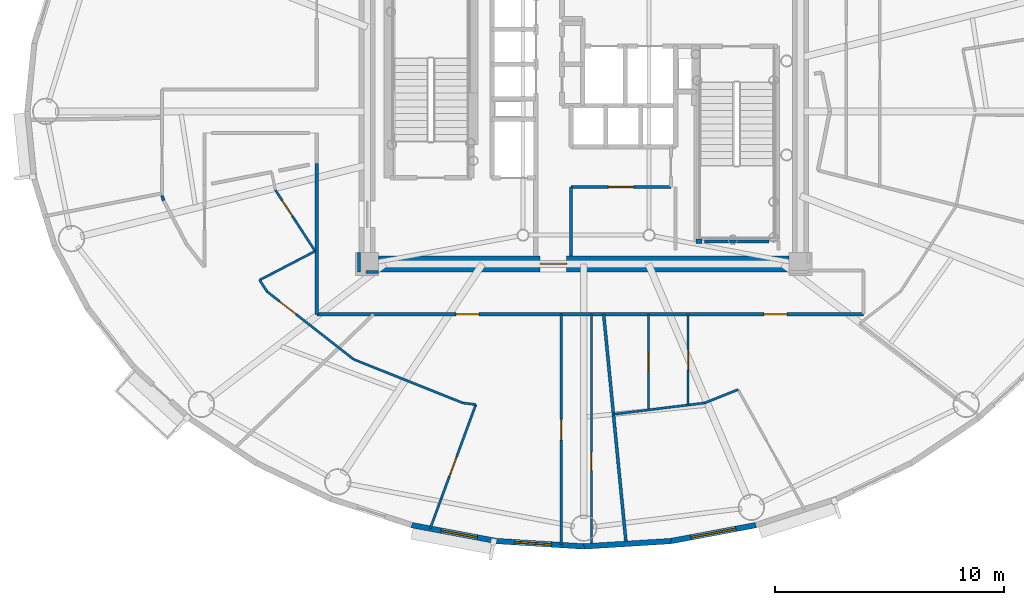
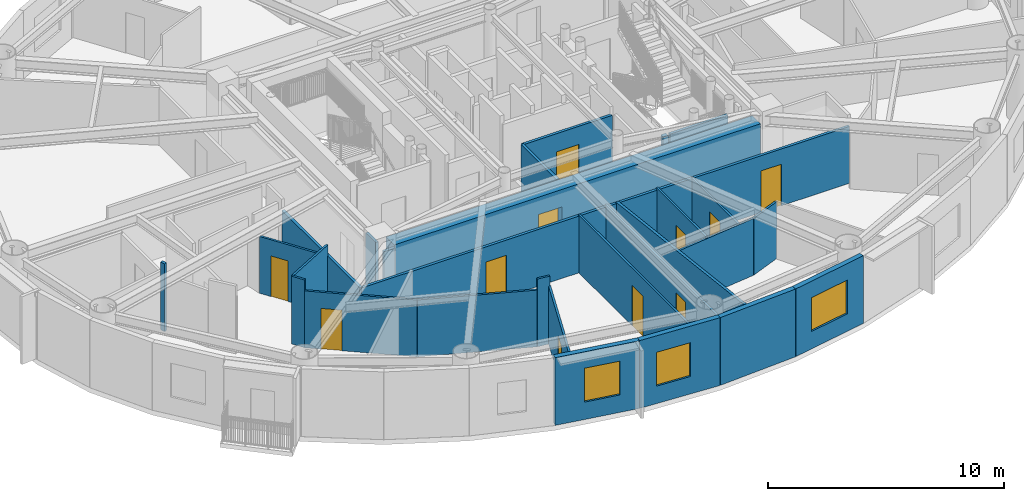
# One storey, part 6 of 16: 28 walls, 11 doors, 3 windows, 14 openings.
"""IFC4 building model written with IfcOpenShell, lengths in metres."""

import ifcopenshell
import ifcopenshell.guid

model = None  # the IFC model being written
_history = None  # IfcOwnerHistory: only IFC2X3 demands one
_inside = {}  # id of a spatial element -> (the spatial element, [elements in it])
_under = {}  # id of a project, library or spatial element -> (it, [spatial elements below it])
_declared = {}  # id of a project -> (the project, [libraries it declares])
_typed = {}  # id of a type object -> (the type object, [elements of that type])
_made_of = {}  # id of a material, layer set ... -> (it, [elements and type objects made of it])


def new_model(schema):
    """Start an empty IFC model of exactly this schema.

    Asked for "IFC4X3", IfcOpenShell would pick the latest addendum, in which some entities
    have other attributes; the version numbers below select the first issue.
    IFC2X3 requires an IfcOwnerHistory on every rooted entity: one is made here for all.
    """
    global model, _history
    if schema == "IFC4X3":
        model = ifcopenshell.file(schema_version=(4, 3, 0, 0))
    else:
        model = ifcopenshell.file(schema=schema)
    _inside.clear()
    _under.clear()
    _declared.clear()
    _typed.clear()
    _made_of.clear()
    _history = None
    if model.schema == "IFC2X3":
        org = make("IfcOrganization", Name="unknown")
        user = make(
            "IfcPersonAndOrganization",
            ThePerson=make("IfcPerson", FamilyName="unknown"),
            TheOrganization=org,
        )
        app = make(
            "IfcApplication",
            ApplicationDeveloper=org,
            Version="unknown",
            ApplicationFullName="unknown",
            ApplicationIdentifier="unknown",
        )
        _history = make(
            "IfcOwnerHistory",
            OwningUser=user,
            OwningApplication=app,
            ChangeAction="ADDED",
            CreationDate=0,
        )
    return model


def make(cls, **values):
    """One entity of the class cls with the attributes given. An attribute that is None is left unset."""
    return model.create_entity(
        cls, **{name: value for name, value in values.items() if value is not None}
    )


def rooted(cls, **values):
    """An entity with a GlobalId (a new one), such as an element, a storey or a relation."""
    return make(cls, GlobalId=ifcopenshell.guid.new(), OwnerHistory=_history, **values)


def si_unit(unit_type, name, prefix=None):
    """IfcSIUnit, for example si_unit("LENGTHUNIT", "METRE", prefix="MILLI")."""
    return make("IfcSIUnit", UnitType=unit_type, Prefix=prefix, Name=name)


def assignment(units):
    """IfcUnitAssignment: the units of a project."""
    return None if units is None else make("IfcUnitAssignment", Units=units)


def point(xyz):
    """IfcCartesianPoint."""
    return None if xyz is None else make("IfcCartesianPoint", Coordinates=xyz)


def direction(xyz):
    """IfcDirection."""
    return None if xyz is None else make("IfcDirection", DirectionRatios=xyz)


def frame(location, z_axis=None, x_axis=None):
    """IfcAxis2Placement3D, a coordinate frame: its origin and axes. An axis left out is left unset."""
    return make(
        "IfcAxis2Placement3D",
        Location=point(location),
        Axis=direction(z_axis),
        RefDirection=direction(x_axis),
    )


def frame_2d(location, x_axis=None):
    """IfcAxis2Placement2D, a coordinate frame in the plane: its origin and x axis."""
    return make(
        "IfcAxis2Placement2D", Location=point(location), RefDirection=direction(x_axis)
    )


def origin():
    """The frame at (0, 0, 0) with its axes left unset."""
    return frame((0.0, 0.0, 0.0))


def origin_2d():
    """The frame at (0, 0) in the plane with its x axis left unset."""
    return frame_2d((0.0, 0.0))


def place(relative_to, where):
    """IfcLocalPlacement: puts the frame where relative to a parent placement (None: the world)."""
    return make(
        "IfcLocalPlacement", PlacementRelTo=relative_to, RelativePlacement=where
    )


def context(
    kind, dimensions, precision=None, world=None, true_north=None, identifier=None
):
    """IfcGeometricRepresentationContext, for example the 3D "Model" context."""
    return make(
        "IfcGeometricRepresentationContext",
        ContextIdentifier=identifier,
        ContextType=kind,
        CoordinateSpaceDimension=dimensions,
        Precision=precision,
        WorldCoordinateSystem=world,
        TrueNorth=true_north,
    )


def subcontext(parent, identifier, kind, view, scale=None):
    """IfcGeometricRepresentationSubContext, for example "Body" below "Model"."""
    return make(
        "IfcGeometricRepresentationSubContext",
        ContextIdentifier=identifier,
        ContextType=kind,
        ParentContext=parent,
        TargetScale=scale,
        TargetView=view,
    )


def project(units=None, contexts=None):
    """IfcProject with its units and contexts."""
    return rooted(
        "IfcProject",
        Name="project",
        RepresentationContexts=contexts,
        UnitsInContext=assignment(units),
    )


def spatial(cls, under=None, at=None, **own):
    """A site, building, storey or space (cls), placed at a placement, below another one or the project."""
    s = rooted(cls, ObjectPlacement=at, **own)
    if under is not None:
        _under.setdefault(under.id(), (under, []))[1].append(s)
    return s


def profile(cls, at=None, kind="AREA", **sizes):
    """A parametric profile (cls). Its sizes go by their IFC names, for example OverallWidth=200.0."""
    return make(cls, ProfileType=kind, Position=at, **sizes)


def rectangle(**sizes):
    """IfcRectangleProfileDef."""
    return profile("IfcRectangleProfileDef", **sizes)


def extrude(swept, where, along, depth):
    """IfcExtrudedAreaSolid: the profile swept, set in the frame where, extruded along a direction by depth."""
    return make(
        "IfcExtrudedAreaSolid",
        SweptArea=swept,
        Position=where,
        ExtrudedDirection=direction(along),
        Depth=depth,
    )


def shape(context_of_items, identifier, shape_type, items):
    """IfcShapeRepresentation: the items that make up one representation, for example the "Body"."""
    return make(
        "IfcShapeRepresentation",
        ContextOfItems=context_of_items,
        RepresentationIdentifier=identifier,
        RepresentationType=shape_type,
        Items=items,
    )


def source(mapping_origin, context_of_items, identifier, shape_type, items):
    """IfcRepresentationMap: a shape defined once, which mapped items show again and again."""
    return make(
        "IfcRepresentationMap",
        MappingOrigin=mapping_origin,
        MappedRepresentation=shape(context_of_items, identifier, shape_type, items),
    )


def transform(
    local_origin,
    x_axis=None,
    y_axis=None,
    z_axis=None,
    scale=None,
    scale2=None,
    scale3=None,
    uniform=True,
):
    """IfcCartesianTransformationOperator3D, or its non-uniform kind. x_axis, y_axis, z_axis: its Axis1, 2, 3."""
    if uniform:
        return make(
            "IfcCartesianTransformationOperator3D",
            Axis1=direction(x_axis),
            Axis2=direction(y_axis),
            LocalOrigin=point(local_origin),
            Scale=scale,
            Axis3=direction(z_axis),
        )
    return make(
        "IfcCartesianTransformationOperator3DnonUniform",
        Axis1=direction(x_axis),
        Axis2=direction(y_axis),
        LocalOrigin=point(local_origin),
        Scale=scale,
        Axis3=direction(z_axis),
        Scale2=scale2,
        Scale3=scale3,
    )


def mapped(mapping_source, mapping_target):
    """IfcMappedItem: shows the shape of a source again, moved by a transform."""
    return make(
        "IfcMappedItem", MappingSource=mapping_source, MappingTarget=mapping_target
    )


def material(Name=None, Category=None):
    """IfcMaterial."""
    return make("IfcMaterial", Name=Name, Category=Category)


def layer(
    of_material, thickness, ventilated=None, Name=None, Category=None, Priority=None
):
    """IfcMaterialLayer: one layer of a wall or slab, of a material (None: an air gap)."""
    return make(
        "IfcMaterialLayer",
        Material=of_material,
        LayerThickness=thickness,
        IsVentilated=ventilated,
        Name=Name,
        Category=Category,
        Priority=Priority,
    )


def layer_set(layers, Name=None):
    """IfcMaterialLayerSet."""
    return make("IfcMaterialLayerSet", MaterialLayers=layers, LayerSetName=Name)


def made_of(thing, what):
    """Note that an element or type object is made of a material, layer set ...; save() writes the relation."""
    if what is not None:
        _made_of.setdefault(what.id(), (what, []))[1].append(thing)
    return thing


def type_object(cls, material=None, **own):
    """A type object (cls), such as IfcWallType, which elements share."""
    return made_of(rooted(cls, **own), material)


def element(
    cls,
    number,
    at=None,
    inside=None,
    cuts=None,
    type_object=None,
    material=None,
    context=None,
    identifier="Body",
    shape_type=None,
    held_by="IfcProductDefinitionShape",
    body=None,
    shapes=None,
    **own,
):
    """One element of the class cls, such as IfcWall. Its Tag is "e" and its number.

    at: its placement. inside: the storey or other place that contains it. cuts: it is an
    opening in that element (IfcRelVoidsElement). A single representation is given by context,
    identifier, shape_type and body (its items); several are given by shapes. held_by: the class
    of the entity that holds the representations. save() writes the other relations.
    """
    e = rooted(cls, Tag="e%d" % number, ObjectPlacement=at, **own)
    if body is not None:
        shapes = [shape(context, identifier, shape_type, body)]
    if shapes is not None:
        e.Representation = make(held_by, Representations=shapes)
    if inside is not None:
        _inside.setdefault(inside.id(), (inside, []))[1].append(e)
    if cuts is not None:
        rooted(
            "IfcRelVoidsElement", RelatingBuildingElement=cuts, RelatedOpeningElement=e
        )
    if type_object is not None:
        _typed.setdefault(type_object.id(), (type_object, []))[1].append(e)
    return made_of(e, material)


def fill(opening, filler):
    """IfcRelFillsElement: the door or window that sits in an opening."""
    return rooted(
        "IfcRelFillsElement",
        RelatingOpeningElement=opening,
        RelatedBuildingElement=filler,
    )


def aggregate(whole, parts):
    """IfcRelAggregates: a whole, such as a stair, and the parts it consists of."""
    return rooted("IfcRelAggregates", RelatingObject=whole, RelatedObjects=parts)


def save(model, path):
    """Write the relations noted so far, then the file.

    IfcRelAggregates (storeys below a building ...), IfcRelContainedInSpatialStructure (elements
    in a storey), IfcRelDefinesByType, IfcRelAssociatesMaterial and IfcRelDeclares: one each for
    every whole, place, type object, material and project.
    """
    for whole, parts in _under.values():
        aggregate(whole, parts)
    for where, things in _inside.values():
        rooted(
            "IfcRelContainedInSpatialStructure",
            RelatedElements=things,
            RelatingStructure=where,
        )
    for kind, things in _typed.values():
        rooted("IfcRelDefinesByType", RelatedObjects=things, RelatingType=kind)
    for what, things in _made_of.values():
        rooted("IfcRelAssociatesMaterial", RelatedObjects=things, RelatingMaterial=what)
    for by, libraries in _declared.values():
        rooted("IfcRelDeclares", RelatingContext=by, RelatedDefinitions=libraries)
    model.write(path)


model = new_model("IFC4")

# Units and contexts
model_context = context("Model", 3, precision=1e-05, world=origin(), true_north=direction((0.0, 1.0)))
body_context = subcontext(model_context, "Body", "Model", "MODEL_VIEW")
ifc_project = project(units=[si_unit("LENGTHUNIT", "METRE"), si_unit("AREAUNIT", "SQUARE_METRE"), si_unit("VOLUMEUNIT", "CUBIC_METRE"), si_unit("PLANEANGLEUNIT", "RADIAN"), si_unit("MASSUNIT", "GRAM", prefix="KILO")], contexts=[model_context])

# Site, building, storey
site_placement = place(None, origin())
site = spatial("IfcSite", under=ifc_project, at=site_placement, CompositionType="ELEMENT")
building_placement = place(site_placement, origin())
building = spatial("IfcBuilding", under=site, at=building_placement, Name="Linh Dai School and Residence Tower", CompositionType="ELEMENT")
storey_placement = place(building_placement, frame((0.0, 0.0, 255.300048828125)))
storey = spatial("IfcBuildingStorey", under=building, at=storey_placement, Name="L63", CompositionType="ELEMENT", Elevation=255.300048828125)

# Wall, opening, window
ifc_material_1 = material(Name="Precast Concrete B45 (C35/45)", Category="concrete")
ifc_layer_1 = layer(ifc_material_1, 0.239990234375)
ifc_layer_set_1 = layer_set([ifc_layer_1], Name="Precast Concrete B45 (C35/45)")
wall_type_1 = type_object("IfcWallType", Name="EW-TC-240", PredefinedType="SOLIDWALL", material=ifc_layer_set_1)
wall_1_placement = place(storey_placement, frame((32.198486328125, 8.254150390625, 0.0), z_axis=(0.0, 0.0, 1.0), x_axis=(-0.982784898575, 0.184753465822, 0.0)))
wall_1 = element("IfcWall", 1, at=wall_1_placement, inside=storey, type_object=wall_type_1, Name="L63 Terracotta Exterior Wall 29", PredefinedType="SOLIDWALL", context=body_context, shape_type="SweptSolid", body=[
    extrude(rectangle(XDim=3.772705078125, YDim=0.239990234375, at=frame_2d((1.88623046875, 0.0))), origin(), (0.0, 0.0, 1.0), 3.5),
])
opening_1_placement = place(wall_1_placement, frame((0.85888671875, 0.0, 0.89990234375)))
opening_1 = element("IfcOpeningElement", 2, at=opening_1_placement, cuts=wall_1, Name="Opening W2", PredefinedType="OPENING", context=body_context, shape_type="SweptSolid", body=[
    extrude(rectangle(XDim=1.60009765625, YDim=1.75, at=origin_2d()), frame((0.800048828125, 0.1298828125, 0.875), z_axis=(0.0, -1.0, 0.0), x_axis=(1.0, 0.0, 0.0)), (0.0, 0.0, 1.0), 0.260009765625),
])
ifc_material_2 = material(Name="Double Low-E Insulated Glazing", Category="glass")
window_type_1 = type_object("IfcWindowType", Name="WN-RES-1600x1750", PartitioningType="DOUBLE_PANEL_VERTICAL", PredefinedType="WINDOW", material=ifc_material_2)
shared_shape_1 = source(origin(), body_context, "Body", "SweptSolid", [
    extrude(rectangle(XDim=1.60009765625, YDim=1.75, at=origin_2d()), frame((0.800048828125, 0.030029296875, 0.875), z_axis=(0.0, -1.0, 0.0), x_axis=(1.0, 0.0, 0.0)), (0.0, 0.0, 1.0), 0.06005859375),
])
window_1_placement = place(opening_1_placement, origin())
window_1 = element("IfcWindow", 3, at=window_1_placement, inside=storey, type_object=window_type_1, Name="L63 Exterior Window 29.1", OverallHeight=1.75, OverallWidth=1.60009765625, PartitioningType="DOUBLE_PANEL_VERTICAL", PredefinedType="WINDOW", context=body_context, shape_type="MappedRepresentation", body=[
    mapped(shared_shape_1, transform((0.0, 0.0, 0.0), x_axis=(1.0, 0.0, 0.0), y_axis=(0.0, 1.0, 0.0), z_axis=(0.0, 0.0, 1.0), scale=1.0)),
])
fill(opening_1, window_1)

wall_2_placement = place(storey_placement, frame((36.0, 8.02001953125, 0.0), z_axis=(0.0, 0.0, 1.0), x_axis=(-0.998108785312, 0.06147237333, 0.0)))
wall_2 = element("IfcWall", 4, at=wall_2_placement, inside=storey, type_object=wall_type_1, Name="L63 Terracotta Exterior Wall 30", PredefinedType="SOLIDWALL", context=body_context, shape_type="SweptSolid", body=[
    extrude(rectangle(XDim=3.808837890625, YDim=0.239990234375, at=frame_2d((1.904296875, 0.0))), origin(), (0.0, 0.0, 1.0), 3.5),
])
opening_2_placement = place(wall_2_placement, frame((1.41015625, 0.0, 0.89990234375)))
opening_2 = element("IfcOpeningElement", 5, at=opening_2_placement, cuts=wall_2, Name="Opening W2", PredefinedType="OPENING", context=body_context, shape_type="SweptSolid", body=[
    extrude(rectangle(XDim=1.60009765625, YDim=1.75, at=origin_2d()), frame((0.800048828125, 0.1298828125, 0.875), z_axis=(0.0, -1.0, 0.0), x_axis=(1.0, 0.0, 0.0)), (0.0, 0.0, 1.0), 0.260009765625),
])
window_2_placement = place(opening_2_placement, origin())
window_2 = element("IfcWindow", 6, at=window_2_placement, inside=storey, type_object=window_type_1, Name="L63 Exterior Window 30.1", OverallHeight=1.75, OverallWidth=1.60009765625, PartitioningType="DOUBLE_PANEL_VERTICAL", PredefinedType="WINDOW", context=body_context, shape_type="MappedRepresentation", body=[
    mapped(shared_shape_1, transform((0.0, 0.0, 0.0), x_axis=(1.0, 0.0, 0.0), y_axis=(0.0, 1.0, 0.0), z_axis=(0.0, 0.0, 1.0), scale=1.0)),
])
fill(opening_2, window_2)

# Wall
wall_3_placement = place(storey_placement, frame((39.801513671875, 8.254150390625, 0.0), z_axis=(0.0, 0.0, 1.0), x_axis=(-0.998108785312, -0.06147237333, 0.0)))
element("IfcWall", 7, at=wall_3_placement, inside=storey, type_object=wall_type_1, Name="L63 Terracotta Exterior Wall 31", PredefinedType="SOLIDWALL", context=body_context, shape_type="SweptSolid", body=[
    extrude(rectangle(XDim=3.808837890625, YDim=0.239990234375, at=frame_2d((1.904296875, 0.0))), origin(), (0.0, 0.0, 1.0), 3.5),
])

# Wall, opening, window
wall_4_placement = place(storey_placement, frame((43.50927734375, 8.951171875, 0.0), z_axis=(0.0, 0.0, 1.0), x_axis=(-0.982784898575, -0.184753465822, 0.0)))
wall_4 = element("IfcWall", 8, at=wall_4_placement, inside=storey, type_object=wall_type_1, Name="L63 Terracotta Exterior Wall 32", PredefinedType="SOLIDWALL", context=body_context, shape_type="SweptSolid", body=[
    extrude(rectangle(XDim=3.772705078125, YDim=0.239990234375, at=frame_2d((1.88623046875, 0.0))), origin(), (0.0, 0.0, 1.0), 3.5),
])
opening_3_placement = place(wall_4_placement, frame((0.88623046875, 0.0, 0.89990234375)))
opening_3 = element("IfcOpeningElement", 9, at=opening_3_placement, cuts=wall_4, Name="Opening W1", PredefinedType="OPENING", context=body_context, shape_type="SweptSolid", body=[
    extrude(rectangle(XDim=2.0, YDim=1.75, at=origin_2d()), frame((1.0, 0.1298828125, 0.875), z_axis=(0.0, -1.0, 0.0), x_axis=(1.0, 0.0, 0.0)), (0.0, 0.0, 1.0), 0.260009765625),
])
window_type_2 = type_object("IfcWindowType", Name="WN-RES-2000x1750", PartitioningType="DOUBLE_PANEL_VERTICAL", PredefinedType="WINDOW", material=ifc_material_2)
shared_shape_2 = source(origin(), body_context, "Body", "SweptSolid", [
    extrude(rectangle(XDim=2.0, YDim=1.75, at=origin_2d()), frame((1.0, 0.030029296875, 0.875), z_axis=(0.0, -1.0, 0.0), x_axis=(1.0, 0.0, 0.0)), (0.0, 0.0, 1.0), 0.06005859375),
])
window_3_placement = place(opening_3_placement, origin())
window_3 = element("IfcWindow", 10, at=window_3_placement, inside=storey, type_object=window_type_2, Name="L63 Exterior Window 32.1", OverallHeight=1.75, OverallWidth=2.0, PartitioningType="DOUBLE_PANEL_VERTICAL", PredefinedType="WINDOW", context=body_context, shape_type="MappedRepresentation", body=[
    mapped(shared_shape_2, transform((0.0, 0.0, 0.0), x_axis=(1.0, 0.0, 0.0), y_axis=(0.0, 1.0, 0.0), z_axis=(0.0, 0.0, 1.0), scale=1.0)),
])
fill(opening_3, window_3)

# Walls
ifc_material_3 = material(Name="Autoclaved Aerated Concrete Blockwork", Category="masonry")
ifc_layer_2 = layer(ifc_material_3, 0.135009765625)
ifc_layer_set_2 = layer_set([ifc_layer_2], Name="Autoclaved Aerated Concrete Blockwork")
wall_type_2 = type_object("IfcWallType", Name="IW-CORR-135-EI90", PredefinedType="PARTITIONING", material=ifc_layer_set_2)
wall_5_placement = place(storey_placement, frame((17.60009765625, 23.327880859375, 0.0), z_axis=(0.0, 0.0, 1.0), x_axis=(0.292875000845, -0.956150738053, 0.0)))
element("IfcWall", 11, at=wall_5_placement, inside=storey, type_object=wall_type_2, Name="L63 Interior Partition Wall 003", PredefinedType="PARTITIONING", context=body_context, shape_type="SweptSolid", body=[
    extrude(rectangle(XDim=0.226806640625, YDim=0.135009765625, at=frame_2d((0.11328125, 0.0))), origin(), (0.0, 0.0, 1.0), 3.5),
])
wall_6_placement = place(storey_placement, frame((24.35009765625, 18.14990234375, 0.0), z_axis=(0.0, 0.0, 1.0), x_axis=(0.0, 1.0, 0.0)))
element("IfcWall", 12, at=wall_6_placement, inside=storey, type_object=wall_type_2, Name="L63 Interior Partition Wall 017", PredefinedType="PARTITIONING", context=body_context, shape_type="SweptSolid", body=[
    extrude(rectangle(XDim=6.58544921875, YDim=0.135009765625, at=frame_2d((3.292724609375, 0.0))), origin(), (0.0, 0.0, 1.0), 2.93505859375),
])

# Wall, openings, doors
wall_7_placement = place(storey_placement, frame((24.35009765625, 18.14990234375, 0.0), z_axis=(0.0, 0.0, 1.0), x_axis=(1.0, 0.0, 0.0)))
wall_7 = element("IfcWall", 13, at=wall_7_placement, inside=storey, type_object=wall_type_2, Name="L63 Interior Partition Wall 018", PredefinedType="PARTITIONING", context=body_context, shape_type="SweptSolid", body=[
    extrude(rectangle(XDim=23.849853515625, YDim=0.135009765625, at=frame_2d((11.9248046875, 0.0))), origin(), (0.0, 0.0, 1.0), 2.93505859375),
])
opening_4_placement = place(wall_7_placement, frame((6.0693359375, 0.0, 0.0)))
opening_4 = element("IfcOpeningElement", 14, at=opening_4_placement, cuts=wall_7, Name="Opening D03", PredefinedType="OPENING", context=body_context, shape_type="SweptSolid", body=[
    extrude(rectangle(XDim=1.0, YDim=2.14990234375, at=origin_2d()), frame((0.5, 0.07763671875, 1.074951171875), z_axis=(0.0, -1.0, 0.0), x_axis=(1.0, 0.0, 0.0)), (0.0, 0.0, 1.0), 0.155029296875),
])
opening_5_placement = place(wall_7_placement, frame((19.5048828125, 0.0, 0.0)))
opening_5 = element("IfcOpeningElement", 15, at=opening_5_placement, cuts=wall_7, Name="Opening D03", PredefinedType="OPENING", context=body_context, shape_type="SweptSolid", body=[
    extrude(rectangle(XDim=1.0, YDim=2.14990234375, at=origin_2d()), frame((0.5, 0.07763671875, 1.074951171875), z_axis=(0.0, -1.0, 0.0), x_axis=(1.0, 0.0, 0.0)), (0.0, 0.0, 1.0), 0.155029296875),
])
ifc_material_4 = material(Name="Fire-Rated Solid Timber Entrance Door", Category="wood")
door_type_1 = type_object("IfcDoorType", Name="DR-FLAT-1000x2150-FD60S", OperationType="NOTDEFINED", PredefinedType="DOOR", material=ifc_material_4)
shared_shape_3 = source(origin(), body_context, "Body", "SweptSolid", [
    extrude(rectangle(XDim=1.0, YDim=2.14990234375, at=origin_2d()), frame((0.5, 0.02490234375, 1.074951171875), z_axis=(0.0, -1.0, 0.0), x_axis=(1.0, 0.0, 0.0)), (0.0, 0.0, 1.0), 0.050048828125),
])
door_1_placement = place(opening_4_placement, origin())
door_1 = element("IfcDoor", 16, at=door_1_placement, inside=storey, type_object=door_type_1, Name="L63 U6302 Apartment Entrance Door", OperationType="SINGLE_SWING_LEFT", OverallHeight=2.14990234375, OverallWidth=1.0, PredefinedType="DOOR", context=body_context, shape_type="MappedRepresentation", body=[
    mapped(shared_shape_3, transform((0.0, 0.0, 0.0), x_axis=(1.0, 0.0, 0.0), y_axis=(0.0, 1.0, 0.0), z_axis=(0.0, 0.0, 1.0), scale=1.0)),
])
fill(opening_4, door_1)
door_2_placement = place(opening_5_placement, origin())
door_2 = element("IfcDoor", 17, at=door_2_placement, inside=storey, type_object=door_type_1, Name="L63 U6303 Apartment Entrance Door", OperationType="SINGLE_SWING_LEFT", OverallHeight=2.14990234375, OverallWidth=1.0, PredefinedType="DOOR", context=body_context, shape_type="MappedRepresentation", body=[
    mapped(shared_shape_3, transform((0.0, 0.0, 0.0), x_axis=(1.0, 0.0, 0.0), y_axis=(0.0, 1.0, 0.0), z_axis=(0.0, 0.0, 1.0), scale=1.0)),
])
fill(opening_5, door_2)

# Wall
wall_8_placement = place(storey_placement, frame((35.449951171875, 20.699951171875, 0.0), z_axis=(0.0, 0.0, 1.0), x_axis=(0.0, 1.0, 0.0)))
element("IfcWall", 18, at=wall_8_placement, inside=storey, type_object=wall_type_2, Name="L63 Interior Partition Wall 045", PredefinedType="PARTITIONING", context=body_context, shape_type="SweptSolid", body=[
    extrude(rectangle(XDim=3.0, YDim=0.135009765625, at=frame_2d((1.5, 0.0))), origin(), (0.0, 0.0, 1.0), 3.0849609375),
])

# Wall, opening, door
wall_9_placement = place(storey_placement, frame((35.449951171875, 23.699951171875, 0.0), z_axis=(0.0, 0.0, 1.0), x_axis=(1.0, 0.0, 0.0)))
wall_9 = element("IfcWall", 19, at=wall_9_placement, inside=storey, type_object=wall_type_2, Name="L63 Interior Partition Wall 046", PredefinedType="PARTITIONING", context=body_context, shape_type="SweptSolid", body=[
    extrude(rectangle(XDim=4.35009765625, YDim=0.135009765625, at=frame_2d((2.175048828125, 0.0))), origin(), (0.0, 0.0, 1.0), 3.0849609375),
])
opening_6_placement = place(wall_9_placement, frame((1.625, 0.0, 0.0)))
opening_6 = element("IfcOpeningElement", 20, at=opening_6_placement, cuts=wall_9, Name="Opening D07", PredefinedType="OPENING", context=body_context, shape_type="SweptSolid", body=[
    extrude(rectangle(XDim=1.10009765625, YDim=2.14990234375, at=origin_2d()), frame((0.550048828125, 0.07763671875, 1.074951171875), z_axis=(0.0, -1.0, 0.0), x_axis=(1.0, 0.0, 0.0)), (0.0, 0.0, 1.0), 0.155029296875),
])
ifc_material_5 = material(Name="Fire-Rated Louvred Steel Plant Door", Category="steel")
door_type_2 = type_object("IfcDoorType", Name="DR-PLT-1100x2150-FD60S", OperationType="NOTDEFINED", PredefinedType="DOOR", material=ifc_material_5)
shared_shape_4 = source(origin(), body_context, "Body", "SweptSolid", [
    extrude(rectangle(XDim=1.10009765625, YDim=2.14990234375, at=origin_2d()), frame((0.550048828125, 0.02490234375, 1.074951171875), z_axis=(0.0, -1.0, 0.0), x_axis=(1.0, 0.0, 0.0)), (0.0, 0.0, 1.0), 0.050048828125),
])
door_3_placement = place(opening_6_placement, origin())
door_3 = element("IfcDoor", 21, at=door_3_placement, inside=storey, type_object=door_type_2, Name="L63 Tenant Metering and BMS Room Door", OperationType="SINGLE_SWING_RIGHT", OverallHeight=2.14990234375, OverallWidth=1.10009765625, PredefinedType="DOOR", context=body_context, shape_type="MappedRepresentation", body=[
    mapped(shared_shape_4, transform((0.0, 0.0, 0.0), x_axis=(1.0, 0.0, 0.0), y_axis=(0.0, 1.0, 0.0), z_axis=(0.0, 0.0, 1.0), scale=1.0)),
])
fill(opening_6, door_3)

# Walls
wall_10_placement = place(storey_placement, frame((36.86669921875, 18.14990234375, 0.0), z_axis=(0.0, 0.0, 1.0), x_axis=(0.097472533874, -0.995238215273, 0.0)))
element("IfcWall", 22, at=wall_10_placement, inside=storey, type_object=wall_type_2, Name="L63 Interior Partition Wall 053", PredefinedType="PARTITIONING", context=body_context, shape_type="SweptSolid", body=[
    extrude(rectangle(XDim=10.06884765625, YDim=0.135009765625, at=frame_2d((5.034423828125, 0.0))), origin(), (0.0, 0.0, 1.0), 2.98486328125),
])
wall_11_placement = place(storey_placement, frame((44.080078125, 21.330078125, 0.0), z_axis=(0.0, 0.0, 1.0), x_axis=(-1.0, 0.0, 0.0)))
element("IfcWall", 23, at=wall_11_placement, inside=storey, type_object=wall_type_2, Name="L63 Interior Partition Wall 088", PredefinedType="PARTITIONING", context=body_context, shape_type="SweptSolid", body=[
    extrude(rectangle(XDim=2.820068359375, YDim=0.135009765625, at=frame_2d((1.41015625, 0.0))), origin(), (0.0, 0.0, 1.0), 3.034912109375),
])
wall_12_placement = place(storey_placement, frame((26.199951171875, 20.840087890625, 0.0), z_axis=(0.0, 0.0, 1.0), x_axis=(0.0, -1.0, 0.0)))
element("IfcWall", 24, at=wall_12_placement, inside=storey, type_object=wall_type_2, Name="L63 Interior Partition Wall 098", PredefinedType="PARTITIONING", context=body_context, shape_type="SweptSolid", body=[
    extrude(rectangle(XDim=0.840087890625, YDim=0.135009765625, at=frame_2d((0.419921875, 0.0))), origin(), (0.0, 0.0, 1.0), 3.5),
])
wall_13_placement = place(storey_placement, frame((26.507568359375, 20.0, 0.0), z_axis=(0.0, 0.0, 1.0), x_axis=(1.0, 0.0, 0.0)))
element("IfcWall", 25, at=wall_13_placement, inside=storey, type_object=wall_type_2, Name="L63 Interior Partition Wall 099", PredefinedType="PARTITIONING", context=body_context, shape_type="SweptSolid", body=[
    extrude(rectangle(XDim=0.532470703125, YDim=0.135009765625, at=frame_2d((0.26611328125, 0.0))), origin(), (0.0, 0.0, 1.0), 2.93505859375),
])
ifc_material_6 = material(Name="Concrete B45 (C35/45)", Category="concrete")
ifc_layer_3 = layer(ifc_material_6, 0.199951171875)
ifc_layer_set_3 = layer_set([ifc_layer_3], Name="Concrete B45 (C35/45)")
wall_type_3 = type_object("IfcWallType", Name="IW-SHAFT-200-EI120", PredefinedType="PARTITIONING", material=ifc_layer_set_3)
wall_14_placement = place(storey_placement, frame((40.89990234375, 21.330078125, 0.0), z_axis=(0.0, 0.0, 1.0), x_axis=(1.0, 0.0, 0.0)))
element("IfcWall", 26, at=wall_14_placement, inside=storey, type_object=wall_type_3, Name="L63 Interior Partition Wall 065", PredefinedType="PARTITIONING", context=body_context, shape_type="SweptSolid", body=[
    extrude(rectangle(XDim=0.25, YDim=0.199951171875, at=frame_2d((0.125, 0.0))), origin(), (0.0, 0.0, 1.0), 3.034912109375),
])
ifc_material_7 = material(Name="Gypsum Plasterboard Acoustic Stud Partition", Category="masonry")
ifc_layer_4 = layer(ifc_material_7, 0.10009765625)
ifc_layer_set_4 = layer_set([ifc_layer_4], Name="Gypsum Plasterboard Acoustic Stud Partition")
wall_type_4 = type_object("IfcWallType", Name="IW-UNIT-100", PredefinedType="PARTITIONING", material=ifc_layer_set_4)
wall_15_placement = place(storey_placement, frame((21.855712890625, 19.640625, 0.0), z_axis=(0.0, 0.0, 1.0), x_axis=(0.545246536912, -0.838275738636, 0.0)))
element("IfcWall", 27, at=wall_15_placement, inside=storey, type_object=wall_type_4, Name="L63 Interior Partition Wall 011", PredefinedType="PARTITIONING", context=body_context, shape_type="SweptSolid", body=[
    extrude(rectangle(XDim=0.59814453125, YDim=0.10009765625, at=frame_2d((0.299072265625, 0.0))), origin(), (0.0, 0.0, 1.0), 3.5),
])
wall_16_placement = place(storey_placement, frame((21.855712890625, 19.640625, 0.0), z_axis=(0.0, 0.0, 1.0), x_axis=(0.887130502634, 0.461518657582, 0.0)))
element("IfcWall", 28, at=wall_16_placement, inside=storey, type_object=wall_type_4, Name="L63 Interior Partition Wall 012", PredefinedType="PARTITIONING", context=body_context, shape_type="SweptSolid", body=[
    extrude(rectangle(XDim=2.7333984375, YDim=0.10009765625, at=frame_2d((1.36669921875, 0.0))), origin(), (0.0, 0.0, 1.0), 3.5),
])

# Wall, opening, door
wall_17_placement = place(storey_placement, frame((22.181884765625, 19.13916015625, 0.0), z_axis=(0.0, 0.0, 1.0), x_axis=(0.787386902975, -0.616459134917, 0.0)))
wall_17 = element("IfcWall", 29, at=wall_17_placement, inside=storey, type_object=wall_type_4, Name="L63 Interior Partition Wall 013", PredefinedType="PARTITIONING", context=body_context, shape_type="SweptSolid", body=[
    extrude(rectangle(XDim=4.799072265625, YDim=0.10009765625, at=frame_2d((2.3994140625, 0.0))), origin(), (0.0, 0.0, 1.0), 2.93505859375),
])
opening_7_placement = place(wall_17_placement, frame((0.6953125, 0.0, 0.0)))
opening_7 = element("IfcOpeningElement", 30, at=opening_7_placement, cuts=wall_17, Name="Opening D05", PredefinedType="OPENING", context=body_context, shape_type="SweptSolid", body=[
    extrude(rectangle(XDim=0.89990234375, YDim=2.10009765625, at=origin_2d()), frame((0.449951171875, 0.06005859375, 1.050048828125), z_axis=(0.0, -1.0, 0.0), x_axis=(1.0, 0.0, 0.0)), (0.0, 0.0, 1.0), 0.1201171875),
])
ifc_material_8 = material(Name="Engineered Timber Internal Door", Category="wood")
door_type_3 = type_object("IfcDoorType", Name="DR-INT-900x2100", OperationType="NOTDEFINED", PredefinedType="DOOR", material=ifc_material_8)
shared_shape_5 = source(origin(), body_context, "Body", "SweptSolid", [
    extrude(rectangle(XDim=0.89990234375, YDim=2.10009765625, at=origin_2d()), frame((0.449951171875, 0.02490234375, 1.050048828125), z_axis=(0.0, -1.0, 0.0), x_axis=(1.0, 0.0, 0.0)), (0.0, 0.0, 1.0), 0.050048828125),
])
door_4_placement = place(opening_7_placement, origin())
door_4 = element("IfcDoor", 31, at=door_4_placement, inside=storey, type_object=door_type_3, Name="L63 Apartment U6301 Kitchen Door", OperationType="SINGLE_SWING_RIGHT", OverallHeight=2.10009765625, OverallWidth=0.89990234375, PredefinedType="DOOR", context=body_context, shape_type="MappedRepresentation", body=[
    mapped(shared_shape_5, transform((0.0, 0.0, 0.0), x_axis=(1.0, 0.0, 0.0), y_axis=(0.0, 1.0, 0.0), z_axis=(0.0, 0.0, 1.0), scale=1.0)),
])
fill(opening_7, door_4)

wall_18_placement = place(storey_placement, frame((22.540771484375, 23.575927734375, 0.0), z_axis=(0.0, 0.0, 1.0), x_axis=(0.545375666154, -0.838191733893, 0.0)))
wall_18 = element("IfcWall", 32, at=wall_18_placement, inside=storey, type_object=wall_type_4, Name="L63 Interior Partition Wall 015", PredefinedType="PARTITIONING", context=body_context, shape_type="SweptSolid", body=[
    extrude(rectangle(XDim=3.18994140625, YDim=0.10009765625, at=frame_2d((1.594970703125, 0.0))), origin(), (0.0, 0.0, 1.0), 2.93505859375),
])
opening_8_placement = place(wall_18_placement, frame((0.5458984375, 0.0, 0.0)))
opening_8 = element("IfcOpeningElement", 33, at=opening_8_placement, cuts=wall_18, Name="Opening D06", PredefinedType="OPENING", context=body_context, shape_type="SweptSolid", body=[
    extrude(rectangle(XDim=0.820068359375, YDim=2.10009765625, at=origin_2d()), frame((0.41015625, 0.06005859375, 1.050048828125), z_axis=(0.0, -1.0, 0.0), x_axis=(1.0, 0.0, 0.0)), (0.0, 0.0, 1.0), 0.1201171875),
])
ifc_material_9 = material(Name="Moisture-Resistant Timber Bathroom Door", Category="wood")
door_type_4 = type_object("IfcDoorType", Name="DR-WET-820x2100", OperationType="NOTDEFINED", PredefinedType="DOOR", material=ifc_material_9)
shared_shape_6 = source(origin(), body_context, "Body", "SweptSolid", [
    extrude(rectangle(XDim=0.820068359375, YDim=2.10009765625, at=origin_2d()), frame((0.41015625, 0.02490234375, 1.050048828125), z_axis=(0.0, -1.0, 0.0), x_axis=(1.0, 0.0, 0.0)), (0.0, 0.0, 1.0), 0.050048828125),
])
door_5_placement = place(opening_8_placement, origin())
door_5 = element("IfcDoor", 34, at=door_5_placement, inside=storey, type_object=door_type_4, Name="L63 Apartment U6301 Bathroom Door", OperationType="SINGLE_SWING_LEFT", OverallHeight=2.10009765625, OverallWidth=0.820068359375, PredefinedType="DOOR", context=body_context, shape_type="MappedRepresentation", body=[
    mapped(shared_shape_6, transform((0.0, 0.0, 0.0), x_axis=(1.0, 0.0, 0.0), y_axis=(0.0, 1.0, 0.0), z_axis=(0.0, 0.0, 1.0), scale=1.0)),
])
fill(opening_8, door_5)

# Wall
wall_19_placement = place(storey_placement, frame((25.960693359375, 16.1806640625, 0.0), z_axis=(0.0, 0.0, 1.0), x_axis=(0.928801505367, -0.370577608105, 0.0)))
element("IfcWall", 35, at=wall_19_placement, inside=storey, type_object=wall_type_4, Name="L63 Interior Partition Wall 022", PredefinedType="PARTITIONING", context=body_context, shape_type="SweptSolid", body=[
    extrude(rectangle(XDim=5.126220703125, YDim=0.10009765625, at=frame_2d((2.56298828125, 0.0))), origin(), (0.0, 0.0, 1.0), 2.93505859375),
])

# Wall, opening, door
wall_20_placement = place(storey_placement, frame((29.29638671875, 8.794677734375, 0.0), z_axis=(0.0, 0.0, 1.0), x_axis=(0.345568130342, 0.938393663284, 0.0)))
wall_20 = element("IfcWall", 36, at=wall_20_placement, inside=storey, type_object=wall_type_4, Name="L63 Interior Partition Wall 026", PredefinedType="PARTITIONING", context=body_context, shape_type="SweptSolid", body=[
    extrude(rectangle(XDim=5.771240234375, YDim=0.10009765625, at=frame_2d((2.8857421875, 0.0))), origin(), (0.0, 0.0, 1.0), 2.98486328125),
])
opening_9_placement = place(wall_20_placement, frame((2.435791015625, 0.0, 0.0)))
opening_9 = element("IfcOpeningElement", 37, at=opening_9_placement, cuts=wall_20, Name="Opening D05", PredefinedType="OPENING", context=body_context, shape_type="SweptSolid", body=[
    extrude(rectangle(XDim=0.89990234375, YDim=2.10009765625, at=origin_2d()), frame((0.449951171875, 0.06005859375, 1.050048828125), z_axis=(0.0, -1.0, 0.0), x_axis=(1.0, 0.0, 0.0)), (0.0, 0.0, 1.0), 0.1201171875),
])
door_6_placement = place(opening_9_placement, origin())
door_6 = element("IfcDoor", 38, at=door_6_placement, inside=storey, type_object=door_type_3, Name="L63 Apartment U6302 Principal Bedroom 1 Door", OperationType="SINGLE_SWING_RIGHT", OverallHeight=2.10009765625, OverallWidth=0.89990234375, PredefinedType="DOOR", context=body_context, shape_type="MappedRepresentation", body=[
    mapped(shared_shape_5, transform((0.0, 0.0, 0.0), x_axis=(1.0, 0.0, 0.0), y_axis=(0.0, 1.0, 0.0), z_axis=(0.0, 0.0, 1.0), scale=1.0)),
])
fill(opening_9, door_6)

# Wall
wall_21_placement = place(storey_placement, frame((30.721923828125, 14.281005859375, 0.0), z_axis=(0.0, 0.0, 1.0), x_axis=(0.992395375367, -0.123091100206, 0.0)))
element("IfcWall", 39, at=wall_21_placement, inside=storey, type_object=wall_type_4, Name="L63 Interior Partition Wall 027", PredefinedType="PARTITIONING", context=body_context, shape_type="SweptSolid", body=[
    extrude(rectangle(XDim=0.5732421875, YDim=0.10009765625, at=frame_2d((0.28662109375, 0.0))), origin(), (0.0, 0.0, 1.0), 3.5),
])

# Wall, opening, door
wall_22_placement = place(storey_placement, frame((35.010498046875, 8.075927734375, 0.0), z_axis=(0.0, 0.0, 1.0), x_axis=(0.0, 1.0, 0.0)))
wall_22 = element("IfcWall", 40, at=wall_22_placement, inside=storey, type_object=wall_type_4, Name="L63 Interior Partition Wall 038", PredefinedType="PARTITIONING", context=body_context, shape_type="SweptSolid", body=[
    extrude(rectangle(XDim=10.073974609375, YDim=0.10009765625, at=frame_2d((5.037109375, 0.0))), origin(), (0.0, 0.0, 1.0), 2.98486328125),
])
opening_10_placement = place(wall_22_placement, frame((4.5869140625, 0.0, 0.0)))
opening_10 = element("IfcOpeningElement", 41, at=opening_10_placement, cuts=wall_22, Name="Opening D05", PredefinedType="OPENING", context=body_context, shape_type="SweptSolid", body=[
    extrude(rectangle(XDim=0.89990234375, YDim=2.10009765625, at=origin_2d()), frame((0.449951171875, 0.06005859375, 1.050048828125), z_axis=(0.0, -1.0, 0.0), x_axis=(1.0, 0.0, 0.0)), (0.0, 0.0, 1.0), 0.1201171875),
])
door_7_placement = place(opening_10_placement, origin())
door_7 = element("IfcDoor", 42, at=door_7_placement, inside=storey, type_object=door_type_3, Name="L63 Apartment U6302 Kitchen Door", OperationType="SINGLE_SWING_LEFT", OverallHeight=2.10009765625, OverallWidth=0.89990234375, PredefinedType="DOOR", context=body_context, shape_type="MappedRepresentation", body=[
    mapped(shared_shape_5, transform((0.0, 0.0, 0.0), x_axis=(1.0, 0.0, 0.0), y_axis=(0.0, 1.0, 0.0), z_axis=(0.0, 0.0, 1.0), scale=1.0)),
])
fill(opening_10, door_7)

wall_23_placement = place(storey_placement, frame((36.332763671875, 8.035400390625, 0.0), z_axis=(0.0, 0.0, 1.0), x_axis=(0.0, 1.0, 0.0)))
wall_23 = element("IfcWall", 43, at=wall_23_placement, inside=storey, type_object=wall_type_4, Name="L63 Interior Partition Wall 052", PredefinedType="PARTITIONING", context=body_context, shape_type="SweptSolid", body=[
    extrude(rectangle(XDim=10.114501953125, YDim=0.10009765625, at=frame_2d((5.05712890625, 0.0))), origin(), (0.0, 0.0, 1.0), 3.034912109375),
])
opening_11_placement = place(wall_23_placement, frame((3.2890625, 0.0, 0.0)))
opening_11 = element("IfcOpeningElement", 44, at=opening_11_placement, cuts=wall_23, Name="Opening D06", PredefinedType="OPENING", context=body_context, shape_type="SweptSolid", body=[
    extrude(rectangle(XDim=0.820068359375, YDim=2.10009765625, at=origin_2d()), frame((0.41015625, 0.06005859375, 1.050048828125), z_axis=(0.0, -1.0, 0.0), x_axis=(1.0, 0.0, 0.0)), (0.0, 0.0, 1.0), 0.1201171875),
])
door_8_placement = place(opening_11_placement, origin())
door_8 = element("IfcDoor", 45, at=door_8_placement, inside=storey, type_object=door_type_4, Name="L63 Apartment U6302 Bathroom 1 Door", OperationType="SINGLE_SWING_RIGHT", OverallHeight=2.10009765625, OverallWidth=0.820068359375, PredefinedType="DOOR", context=body_context, shape_type="MappedRepresentation", body=[
    mapped(shared_shape_6, transform((0.0, 0.0, 0.0), x_axis=(1.0, 0.0, 0.0), y_axis=(0.0, 1.0, 0.0), z_axis=(0.0, 0.0, 1.0), scale=1.0)),
])
fill(opening_11, door_8)

# Wall
wall_24_placement = place(storey_placement, frame((37.2939453125, 13.786865234375, 0.0), z_axis=(0.0, 0.0, 1.0), x_axis=(0.992396239348, 0.123084134349, 0.0)))
element("IfcWall", 46, at=wall_24_placement, inside=storey, type_object=wall_type_4, Name="L63 Interior Partition Wall 055", PredefinedType="PARTITIONING", context=body_context, shape_type="SweptSolid", body=[
    extrude(rectangle(XDim=4.0146484375, YDim=0.10009765625, at=frame_2d((2.00732421875, 0.0))), origin(), (0.0, 0.0, 1.0), 2.93505859375),
])

# Wall, opening, door
wall_25_placement = place(storey_placement, frame((38.825927734375, 13.97705078125, 0.0), z_axis=(0.0, 0.0, 1.0), x_axis=(0.0, 1.0, 0.0)))
wall_25 = element("IfcWall", 47, at=wall_25_placement, inside=storey, type_object=wall_type_4, Name="L63 Interior Partition Wall 059", PredefinedType="PARTITIONING", context=body_context, shape_type="SweptSolid", body=[
    extrude(rectangle(XDim=4.1728515625, YDim=0.10009765625, at=frame_2d((2.08642578125, 0.0))), origin(), (0.0, 0.0, 1.0), 3.034912109375),
])
opening_12_placement = place(wall_25_placement, frame((1.676513671875, 0.0, 0.0)))
opening_12 = element("IfcOpeningElement", 48, at=opening_12_placement, cuts=wall_25, Name="Opening D06", PredefinedType="OPENING", context=body_context, shape_type="SweptSolid", body=[
    extrude(rectangle(XDim=0.820068359375, YDim=2.10009765625, at=origin_2d()), frame((0.41015625, 0.06005859375, 1.050048828125), z_axis=(0.0, -1.0, 0.0), x_axis=(1.0, 0.0, 0.0)), (0.0, 0.0, 1.0), 0.1201171875),
])
door_9_placement = place(opening_12_placement, origin())
door_9 = element("IfcDoor", 49, at=door_9_placement, inside=storey, type_object=door_type_4, Name="L63 Apartment U6303 Bathroom 1 Door", OperationType="SINGLE_SWING_LEFT", OverallHeight=2.10009765625, OverallWidth=0.820068359375, PredefinedType="DOOR", context=body_context, shape_type="MappedRepresentation", body=[
    mapped(shared_shape_6, transform((0.0, 0.0, 0.0), x_axis=(1.0, 0.0, 0.0), y_axis=(0.0, 1.0, 0.0), z_axis=(0.0, 0.0, 1.0), scale=1.0)),
])
fill(opening_12, door_9)

wall_26_placement = place(storey_placement, frame((40.550048828125, 14.190673828125, 0.0), z_axis=(0.0, 0.0, 1.0), x_axis=(0.0, 1.0, 0.0)))
wall_26 = element("IfcWall", 50, at=wall_26_placement, inside=storey, type_object=wall_type_4, Name="L63 Interior Partition Wall 063", PredefinedType="PARTITIONING", context=body_context, shape_type="SweptSolid", body=[
    extrude(rectangle(XDim=3.959228515625, YDim=0.10009765625, at=frame_2d((1.9794921875, 0.0))), origin(), (0.0, 0.0, 1.0), 2.93505859375),
])
opening_13_placement = place(wall_26_placement, frame((1.529541015625, 0.0, 0.0)))
opening_13 = element("IfcOpeningElement", 51, at=opening_13_placement, cuts=wall_26, Name="Opening D05", PredefinedType="OPENING", context=body_context, shape_type="SweptSolid", body=[
    extrude(rectangle(XDim=0.89990234375, YDim=2.10009765625, at=origin_2d()), frame((0.449951171875, 0.06005859375, 1.050048828125), z_axis=(0.0, -1.0, 0.0), x_axis=(1.0, 0.0, 0.0)), (0.0, 0.0, 1.0), 0.1201171875),
])
door_10_placement = place(opening_13_placement, origin())
door_10 = element("IfcDoor", 52, at=door_10_placement, inside=storey, type_object=door_type_3, Name="L63 Apartment U6303 Kitchen Door", OperationType="SINGLE_SWING_RIGHT", OverallHeight=2.10009765625, OverallWidth=0.89990234375, PredefinedType="DOOR", context=body_context, shape_type="MappedRepresentation", body=[
    mapped(shared_shape_5, transform((0.0, 0.0, 0.0), x_axis=(1.0, 0.0, 0.0), y_axis=(0.0, 1.0, 0.0), z_axis=(0.0, 0.0, 1.0), scale=1.0)),
])
fill(opening_13, door_10)

# Wall
wall_27_placement = place(storey_placement, frame((41.278076171875, 14.281005859375, 0.0), z_axis=(0.0, 0.0, 1.0), x_axis=(0.928799036151, 0.370583796792, 0.0)))
element("IfcWall", 53, at=wall_27_placement, inside=storey, type_object=wall_type_4, Name="L63 Interior Partition Wall 066", PredefinedType="PARTITIONING", context=body_context, shape_type="SweptSolid", body=[
    extrude(rectangle(XDim=1.5654296875, YDim=0.10009765625, at=frame_2d((0.78271484375, 0.0))), origin(), (0.0, 0.0, 1.0), 2.93505859375),
])

# Wall, opening, door
ifc_layer_5 = layer(ifc_material_6, 0.699951171875)
ifc_layer_set_5 = layer_set([ifc_layer_5], Name="Concrete B45 (C35/45)")
wall_type_5 = type_object("IfcWallType", Name="WL-CORE700", PredefinedType="SHEAR", material=ifc_layer_set_5)
wall_28_placement = place(storey_placement, frame((44.949951171875, 20.35009765625, 0.0), z_axis=(0.0, 0.0, 1.0), x_axis=(-1.0, 0.0, 0.0)))
wall_28 = element("IfcWall", 54, at=wall_28_placement, inside=storey, type_object=wall_type_5, Name="L63 Central Core Shear Wall S", PredefinedType="SHEAR", context=body_context, shape_type="SweptSolid", body=[
    extrude(rectangle(XDim=17.89990234375, YDim=0.699951171875, at=frame_2d((8.949951171875, 0.0))), origin(), (0.0, 0.0, 1.0), 3.050048828125),
])
opening_14_placement = place(wall_28_placement, frame((9.699951171875, 0.0, 0.0)))
opening_14 = element("IfcOpeningElement", 55, at=opening_14_placement, cuts=wall_28, Name="Opening D02", PredefinedType="OPENING", context=body_context, shape_type="SweptSolid", body=[
    extrude(rectangle(XDim=1.14990234375, YDim=2.14990234375, at=origin_2d()), frame((0.574951171875, 0.35986328125, 1.074951171875), z_axis=(0.0, -1.0, 0.0), x_axis=(1.0, 0.0, 0.0)), (0.0, 0.0, 1.0), 0.719970703125),
])
ifc_material_10 = material(Name="Fire-Rated Glazed Steel Lobby Door", Category="steel")
door_type_5 = type_object("IfcDoorType", Name="DR-LOBBY-1150x2150-FD90S", OperationType="NOTDEFINED", PredefinedType="DOOR", material=ifc_material_10)
shared_shape_7 = source(origin(), body_context, "Body", "SweptSolid", [
    extrude(rectangle(XDim=1.14990234375, YDim=2.14990234375, at=origin_2d()), frame((0.574951171875, 0.02490234375, 1.074951171875), z_axis=(0.0, -1.0, 0.0), x_axis=(1.0, 0.0, 0.0)), (0.0, 0.0, 1.0), 0.050048828125),
])
door_11_placement = place(opening_14_placement, origin())
door_11 = element("IfcDoor", 56, at=door_11_placement, inside=storey, type_object=door_type_5, Name="L63 Passenger Foyer Access Door", OperationType="SINGLE_SWING_LEFT", OverallHeight=2.14990234375, OverallWidth=1.14990234375, PredefinedType="DOOR", context=body_context, shape_type="MappedRepresentation", body=[
    mapped(shared_shape_7, transform((0.0, 0.0, 0.0), x_axis=(1.0, 0.0, 0.0), y_axis=(0.0, 1.0, 0.0), z_axis=(0.0, 0.0, 1.0), scale=1.0)),
])
fill(opening_14, door_11)

save(model, "model.ifc")
